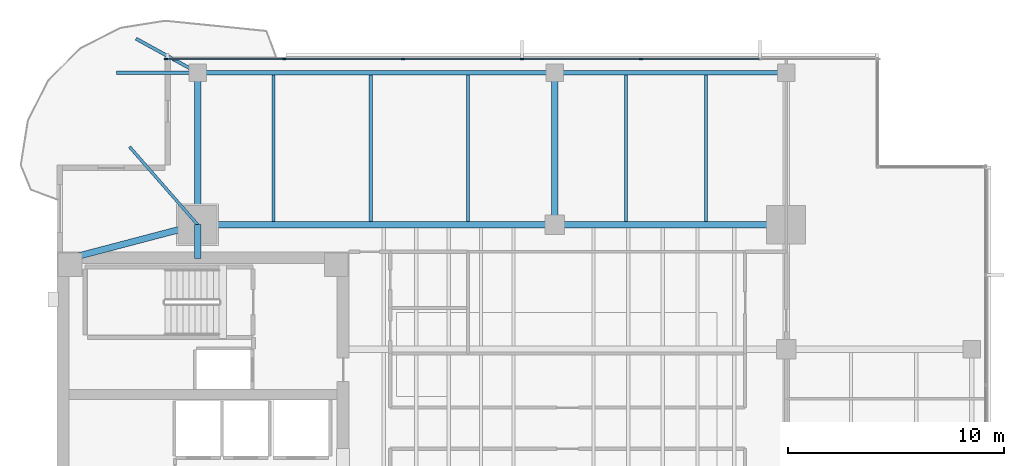
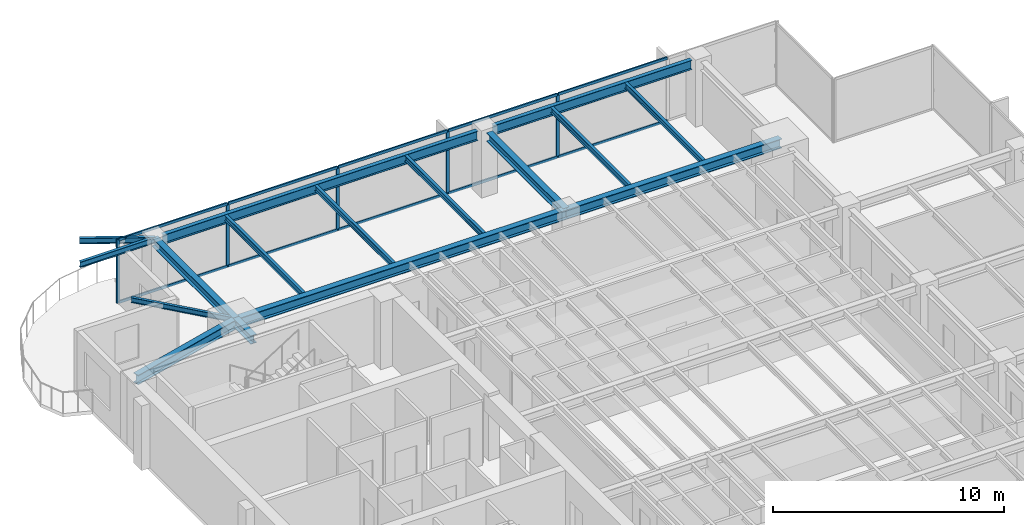
# One storey, part 5 of 14: 16 beams, 15 members, 1 element without a shape of its own.
"""IFC4 building model written with IfcOpenShell, lengths in metres."""

from ifc_helpers import new_model, si_unit, direction, frame, origin, origin_2d, place, context, subcontext, project, spatial, rectangle, i_section, extrude, material, layer, layer_set, material_profile, profile_set, type_object, element, aggregate, save


model = new_model("IFC4")

# Units and contexts
model_context = context("Model", 3, precision=1e-05, world=origin(), true_north=direction((0.0, 1.0)))
body_context = subcontext(model_context, "Body", "Model", "MODEL_VIEW")
ifc_project = project(units=[si_unit("LENGTHUNIT", "METRE"), si_unit("AREAUNIT", "SQUARE_METRE"), si_unit("VOLUMEUNIT", "CUBIC_METRE"), si_unit("PLANEANGLEUNIT", "RADIAN"), si_unit("MASSUNIT", "GRAM", prefix="KILO")], contexts=[model_context])

# Site, building, storey
site_placement = place(None, origin())
site = spatial("IfcSite", under=ifc_project, at=site_placement, CompositionType="ELEMENT")
building_placement = place(site_placement, origin())
building = spatial("IfcBuilding", under=site, at=building_placement, Name="Kinhvarn Gate Tower", CompositionType="ELEMENT")
storey_placement = place(building_placement, frame((0.0, 0.0, 209.35009765625)))
storey = spatial("IfcBuildingStorey", under=building, at=storey_placement, Name="L55", CompositionType="ELEMENT", Elevation=209.35009765625)

# Curtain wall, members
ifc_material_1 = material(Name="Anodised aluminium AW-6063", Category="aluminium")
ifc_layer = layer(ifc_material_1, 0.179931640625)
ifc_layer_set = layer_set([ifc_layer], Name="Anodised aluminium AW-6063")
curtain_wall_type = type_object("IfcCurtainWallType", Name="CW-SYS-3", PredefinedType="NOTDEFINED", material=ifc_layer_set)
curtain_wall_placement = place(storey_placement, origin())
curtain_wall = element("IfcCurtainWall", 1, at=curtain_wall_placement, inside=storey, type_object=curtain_wall_type, Name="Curtain Wall CW3 (L55)", PredefinedType="NOTDEFINED")
ifc_material_profile_1 = material_profile(ifc_material_1, rectangle(XDim=0.06494140625, YDim=0.159912109375, at=origin_2d()), Name="ALU 65x160")
ifc_profile_set_1 = profile_set([ifc_material_profile_1], Name="Anodised aluminium AW-6063")
member_type_1 = type_object("IfcMemberType", Name="CW-MUL-160", PredefinedType="MULLION", material=ifc_profile_set_1)
member_1_placement = place(storey_placement, frame((31.5, 45.409912109375, 0.0), z_axis=(0.0, 0.0, 1.0), x_axis=(0.0, -1.0, 0.0)))
member_1 = element("IfcMember", 2, at=member_1_placement, type_object=member_type_1, Name="CW3 mullion 3", PredefinedType="MULLION", context=body_context, shape_type="SweptSolid", body=[
    extrude(rectangle(XDim=0.06494140625, YDim=0.159912109375, at=origin_2d()), origin(), (0.0, 0.0, 1.0), 3.369873046875),
])
member_2_placement = place(storey_placement, frame((26.0, 45.409912109375, 0.0), z_axis=(0.0, 0.0, 1.0), x_axis=(0.0, -1.0, 0.0)))
member_2 = element("IfcMember", 3, at=member_2_placement, type_object=member_type_1, Name="CW3 mullion 4", PredefinedType="MULLION", context=body_context, shape_type="SweptSolid", body=[
    extrude(rectangle(XDim=0.06494140625, YDim=0.159912109375, at=origin_2d()), origin(), (0.0, 0.0, 1.0), 3.369873046875),
])
member_3_placement = place(storey_placement, frame((20.5, 45.409912109375, 0.0), z_axis=(0.0, 0.0, 1.0), x_axis=(0.0, -1.0, 0.0)))
member_3 = element("IfcMember", 4, at=member_3_placement, type_object=member_type_1, Name="CW3 mullion 5", PredefinedType="MULLION", context=body_context, shape_type="SweptSolid", body=[
    extrude(rectangle(XDim=0.06494140625, YDim=0.159912109375, at=origin_2d()), origin(), (0.0, 0.0, 1.0), 3.369873046875),
])
member_4_placement = place(storey_placement, frame((15.0, 45.409912109375, 0.0), z_axis=(0.0, 0.0, 1.0), x_axis=(0.0, -1.0, 0.0)))
member_4 = element("IfcMember", 5, at=member_4_placement, type_object=member_type_1, Name="CW3 mullion 6", PredefinedType="MULLION", context=body_context, shape_type="SweptSolid", body=[
    extrude(rectangle(XDim=0.06494140625, YDim=0.159912109375, at=origin_2d()), origin(), (0.0, 0.0, 1.0), 3.369873046875),
])
member_5_placement = place(storey_placement, frame((9.532470703125, 45.409912109375, 0.0), z_axis=(0.0, 0.0, 1.0), x_axis=(0.0, -1.0, 0.0)))
member_5 = element("IfcMember", 6, at=member_5_placement, type_object=member_type_1, Name="CW3 mullion 7", PredefinedType="MULLION", context=body_context, shape_type="SweptSolid", body=[
    extrude(rectangle(XDim=0.06494140625, YDim=0.159912109375, at=origin_2d()), origin(), (0.0, 0.0, 1.0), 3.369873046875),
])
ifc_material_profile_2 = material_profile(ifc_material_1, rectangle(XDim=0.070068359375, YDim=0.139892578125, at=origin_2d()), Name="ALU 70x140")
ifc_profile_set_2 = profile_set([ifc_material_profile_2], Name="Anodised aluminium AW-6063")
member_type_2 = type_object("IfcMemberType", Name="CW-TRN-140", PredefinedType="USERDEFINED", material=ifc_profile_set_2)
member_6_placement = place(storey_placement, frame((36.967529296875, 45.409912109375, 0.034912109375), z_axis=(-1.0, 0.0, 0.0), x_axis=(0.0, -1.0, 0.0)))
member_6 = element("IfcMember", 7, at=member_6_placement, type_object=member_type_2, Name="CW3 transom 2.1", ObjectType="TRANSOM", PredefinedType="USERDEFINED", context=body_context, shape_type="SweptSolid", body=[
    extrude(rectangle(XDim=0.070068359375, YDim=0.139892578125, at=origin_2d()), origin(), (0.0, 0.0, 1.0), 5.43505859375),
])
member_7_placement = place(storey_placement, frame((36.967529296875, 45.409912109375, 3.3349609375), z_axis=(-1.0, 0.0, 0.0), x_axis=(0.0, -1.0, 0.0)))
member_7 = element("IfcMember", 8, at=member_7_placement, type_object=member_type_2, Name="CW3 transom 2.2", ObjectType="TRANSOM", PredefinedType="USERDEFINED", context=body_context, shape_type="SweptSolid", body=[
    extrude(rectangle(XDim=0.070068359375, YDim=0.139892578125, at=origin_2d()), origin(), (0.0, 0.0, 1.0), 5.43505859375),
])
member_8_placement = place(storey_placement, frame((31.467529296875, 45.409912109375, 0.034912109375), z_axis=(-1.0, 0.0, 0.0), x_axis=(0.0, -1.0, 0.0)))
member_8 = element("IfcMember", 9, at=member_8_placement, type_object=member_type_2, Name="CW3 transom 3.1", ObjectType="TRANSOM", PredefinedType="USERDEFINED", context=body_context, shape_type="SweptSolid", body=[
    extrude(rectangle(XDim=0.070068359375, YDim=0.139892578125, at=origin_2d()), origin(), (0.0, 0.0, 1.0), 5.43505859375),
])
member_9_placement = place(storey_placement, frame((31.467529296875, 45.409912109375, 3.3349609375), z_axis=(-1.0, 0.0, 0.0), x_axis=(0.0, -1.0, 0.0)))
member_9 = element("IfcMember", 10, at=member_9_placement, type_object=member_type_2, Name="CW3 transom 3.2", ObjectType="TRANSOM", PredefinedType="USERDEFINED", context=body_context, shape_type="SweptSolid", body=[
    extrude(rectangle(XDim=0.070068359375, YDim=0.139892578125, at=origin_2d()), origin(), (0.0, 0.0, 1.0), 5.43505859375),
])
member_10_placement = place(storey_placement, frame((25.967529296875, 45.409912109375, 0.034912109375), z_axis=(-1.0, 0.0, 0.0), x_axis=(0.0, -1.0, 0.0)))
member_10 = element("IfcMember", 11, at=member_10_placement, type_object=member_type_2, Name="CW3 transom 4.1", ObjectType="TRANSOM", PredefinedType="USERDEFINED", context=body_context, shape_type="SweptSolid", body=[
    extrude(rectangle(XDim=0.070068359375, YDim=0.139892578125, at=origin_2d()), origin(), (0.0, 0.0, 1.0), 5.43505859375),
])
member_11_placement = place(storey_placement, frame((25.967529296875, 45.409912109375, 3.3349609375), z_axis=(-1.0, 0.0, 0.0), x_axis=(0.0, -1.0, 0.0)))
member_11 = element("IfcMember", 12, at=member_11_placement, type_object=member_type_2, Name="CW3 transom 4.2", ObjectType="TRANSOM", PredefinedType="USERDEFINED", context=body_context, shape_type="SweptSolid", body=[
    extrude(rectangle(XDim=0.070068359375, YDim=0.139892578125, at=origin_2d()), origin(), (0.0, 0.0, 1.0), 5.43505859375),
])
member_12_placement = place(storey_placement, frame((20.467529296875, 45.409912109375, 0.034912109375), z_axis=(-1.0, 0.0, 0.0), x_axis=(0.0, -1.0, 0.0)))
member_12 = element("IfcMember", 13, at=member_12_placement, type_object=member_type_2, Name="CW3 transom 5.1", ObjectType="TRANSOM", PredefinedType="USERDEFINED", context=body_context, shape_type="SweptSolid", body=[
    extrude(rectangle(XDim=0.070068359375, YDim=0.139892578125, at=origin_2d()), origin(), (0.0, 0.0, 1.0), 5.43505859375),
])
member_13_placement = place(storey_placement, frame((20.467529296875, 45.409912109375, 3.3349609375), z_axis=(-1.0, 0.0, 0.0), x_axis=(0.0, -1.0, 0.0)))
member_13 = element("IfcMember", 14, at=member_13_placement, type_object=member_type_2, Name="CW3 transom 5.2", ObjectType="TRANSOM", PredefinedType="USERDEFINED", context=body_context, shape_type="SweptSolid", body=[
    extrude(rectangle(XDim=0.070068359375, YDim=0.139892578125, at=origin_2d()), origin(), (0.0, 0.0, 1.0), 5.43505859375),
])
member_14_placement = place(storey_placement, frame((14.967529296875, 45.409912109375, 0.034912109375), z_axis=(-1.0, 0.0, 0.0), x_axis=(0.0, -1.0, 0.0)))
member_14 = element("IfcMember", 15, at=member_14_placement, type_object=member_type_2, Name="CW3 transom 6.1", ObjectType="TRANSOM", PredefinedType="USERDEFINED", context=body_context, shape_type="SweptSolid", body=[
    extrude(rectangle(XDim=0.070068359375, YDim=0.139892578125, at=origin_2d()), origin(), (0.0, 0.0, 1.0), 5.402587890625),
])
member_15_placement = place(storey_placement, frame((14.967529296875, 45.409912109375, 3.3349609375), z_axis=(-1.0, 0.0, 0.0), x_axis=(0.0, -1.0, 0.0)))
member_15 = element("IfcMember", 16, at=member_15_placement, type_object=member_type_2, Name="CW3 transom 6.2", ObjectType="TRANSOM", PredefinedType="USERDEFINED", context=body_context, shape_type="SweptSolid", body=[
    extrude(rectangle(XDim=0.070068359375, YDim=0.139892578125, at=origin_2d()), origin(), (0.0, 0.0, 1.0), 5.402587890625),
])
aggregate(curtain_wall, [member_1, member_2, member_3, member_4, member_5, member_6, member_7, member_8, member_9, member_10, member_11, member_12, member_13, member_14, member_15])

# Beams
ifc_material_2 = material(Name="Steel S355", Category="steel")
ifc_material_profile_3 = material_profile(ifc_material_2, i_section(OverallWidth=0.300048828125, OverallDepth=0.449951171875, WebThickness=0.013916015625, FlangeThickness=0.02587890625, at=origin_2d()), Name="HEB 450")
ifc_profile_set_3 = profile_set([ifc_material_profile_3], Name="Steel S355")
beam_type_1 = type_object("IfcBeamType", Name="STL-HEB450", PredefinedType="BEAM", material=ifc_profile_set_3)
beam_1_placement = place(storey_placement, frame((11.0, 36.199951171875, 3.14501953125), z_axis=(0.0, 1.0, 0.0), x_axis=(-1.0, 0.0, 0.0)))
element("IfcBeam", 17, at=beam_1_placement, inside=storey, type_object=beam_type_1, Name="Floor Beam PG-13 (L55 MCW-CN)", PredefinedType="BEAM", context=body_context, shape_type="SweptSolid", body=[
    extrude(i_section(OverallWidth=0.300048828125, OverallDepth=0.449951171875, WebThickness=0.013916015625, FlangeThickness=0.02587890625, at=origin_2d()), origin(), (0.0, 0.0, 1.0), 1.550048828125),
])
beam_2_placement = place(storey_placement, frame((11.0, 37.75, 3.14501953125), z_axis=(0.0, 1.0, 0.0), x_axis=(-1.0, 0.0, 0.0)))
element("IfcBeam", 18, at=beam_2_placement, inside=storey, type_object=beam_type_1, Name="Floor Beam PG-13 (L55 MCW-N)", PredefinedType="BEAM", context=body_context, shape_type="SweptSolid", body=[
    extrude(i_section(OverallWidth=0.300048828125, OverallDepth=0.449951171875, WebThickness=0.013916015625, FlangeThickness=0.02587890625, at=origin_2d()), origin(), (0.0, 0.0, 1.0), 7.030029296875),
])
beam_3_placement = place(storey_placement, frame((27.5, 37.75, 3.14501953125), z_axis=(0.0, 1.0, 0.0), x_axis=(-1.0, 0.0, 0.0)))
element("IfcBeam", 19, at=beam_3_placement, inside=storey, type_object=beam_type_1, Name="Floor Beam PG-13 (L55 SP27-N-TIE)", PredefinedType="BEAM", context=body_context, shape_type="SweptSolid", body=[
    extrude(i_section(OverallWidth=0.300048828125, OverallDepth=0.449951171875, WebThickness=0.013916015625, FlangeThickness=0.02587890625, at=origin_2d()), origin(), (0.0, 0.0, 1.0), 6.64501953125),
])
ifc_material_profile_4 = material_profile(ifc_material_2, i_section(OverallWidth=0.300048828125, OverallDepth=0.5, WebThickness=0.014404296875, FlangeThickness=0.028076171875, at=origin_2d()), Name="HEB 500")
ifc_profile_set_4 = profile_set([ifc_material_profile_4], Name="Steel S355")
beam_type_2 = type_object("IfcBeamType", Name="STL-HEB500", PredefinedType="BEAM", material=ifc_profile_set_4)
beam_4_placement = place(storey_placement, frame((11.0, 37.75, 3.119873046875), z_axis=(1.0, 0.0, 0.0), x_axis=(0.0, 1.0, 0.0)))
element("IfcBeam", 20, at=beam_4_placement, inside=storey, type_object=beam_type_2, Name="Floor Beam PG-14 (L55 MG-N1)", PredefinedType="BEAM", context=body_context, shape_type="SweptSolid", body=[
    extrude(i_section(OverallWidth=0.300048828125, OverallDepth=0.5, WebThickness=0.014404296875, FlangeThickness=0.028076171875, at=origin_2d()), origin(), (0.0, 0.0, 1.0), 16.5),
])
beam_5_placement = place(storey_placement, frame((27.5, 37.75, 3.119873046875), z_axis=(1.0, 0.0, 0.0), x_axis=(0.0, 1.0, 0.0)))
element("IfcBeam", 21, at=beam_5_placement, inside=storey, type_object=beam_type_2, Name="Floor Beam PG-14 (L55 MG-N2)", PredefinedType="BEAM", context=body_context, shape_type="SweptSolid", body=[
    extrude(i_section(OverallWidth=0.300048828125, OverallDepth=0.5, WebThickness=0.014404296875, FlangeThickness=0.028076171875, at=origin_2d()), origin(), (0.0, 0.0, 1.0), 10.699951171875),
])
beam_6_placement = place(storey_placement, frame((5.10009765625, 36.199951171875, 3.119873046875), z_axis=(0.967177623957, 0.254101246979, 0.0), x_axis=(-0.254101246979, 0.967177623957, 0.0)))
element("IfcBeam", 22, at=beam_6_placement, inside=storey, type_object=beam_type_2, Name="Floor Beam PG-14 (L55 MG-NW-DIAG)", PredefinedType="BEAM", context=body_context, shape_type="SweptSolid", body=[
    extrude(i_section(OverallWidth=0.300048828125, OverallDepth=0.5, WebThickness=0.014404296875, FlangeThickness=0.028076171875, at=origin_2d()), origin(), (0.0, 0.0, 1.0), 6.10009765625),
])
ifc_material_profile_5 = material_profile(ifc_material_2, i_section(OverallWidth=0.135009765625, OverallDepth=0.27001953125, WebThickness=0.006591796875, FlangeThickness=0.01025390625, at=origin_2d()), Name="IPE 270")
ifc_profile_set_5 = profile_set([ifc_material_profile_5], Name="Steel S355")
beam_type_3 = type_object("IfcBeamType", Name="STL-IPE270", PredefinedType="JOIST", material=ifc_profile_set_5)
beam_7_placement = place(storey_placement, frame((11.0, 37.75, 3.23486328125), z_axis=(-0.658482928045, 0.752595664001, 0.0), x_axis=(-0.752595664001, -0.658482928045, 0.0)))
element("IfcBeam", 23, at=beam_7_placement, inside=storey, type_object=beam_type_3, Name="Floor Joist SB-01 (L55 BAL-B3-L56)", PredefinedType="JOIST", context=body_context, shape_type="SweptSolid", body=[
    extrude(i_section(OverallWidth=0.135009765625, OverallDepth=0.27001953125, WebThickness=0.006591796875, FlangeThickness=0.01025390625, at=origin_2d()), origin(), (0.0, 0.0, 1.0), 4.78369140625),
])
ifc_material_profile_6 = material_profile(ifc_material_2, i_section(OverallWidth=0.14990234375, OverallDepth=0.300048828125, WebThickness=0.007080078125, FlangeThickness=0.0107421875, at=origin_2d()), Name="IPE 300")
ifc_profile_set_6 = profile_set([ifc_material_profile_6], Name="Steel S355")
beam_type_4 = type_object("IfcBeamType", Name="STL-IPE300", PredefinedType="JOIST", material=ifc_profile_set_6)
for number, where, z_axis, x_axis, name in (
    (24, (14.5, 37.89990234375, 3.219970703125), (0.0, 1.0, 0.0), (-1.0, 0.0, 0.0), "Floor Joist SB-02 (L55 JN-X145)"),
    (25, (19.0, 37.89990234375, 3.219970703125), (0.0, 1.0, 0.0), (-1.0, 0.0, 0.0), "Floor Joist SB-02 (L55 JN-X190)"),
    (26, (23.5, 37.89990234375, 3.219970703125), (0.0, 1.0, 0.0), (-1.0, 0.0, 0.0), "Floor Joist SB-02 (L55 JN-X235)"),
    (27, (30.800048828125, 37.89990234375, 3.219970703125), (0.0, 1.0, 0.0), (-1.0, 0.0, 0.0), "Floor Joist SB-02 (L55 JN-X308)"),
    (28, (34.5, 37.89990234375, 3.219970703125), (0.0, 1.0, 0.0), (-1.0, 0.0, 0.0), "Floor Joist SB-02 (L55 JN-X345)"),
):
    element("IfcBeam", number, at=place(storey_placement, frame(where, z_axis=z_axis, x_axis=x_axis)), inside=storey, type_object=beam_type_4, Name=name, PredefinedType="JOIST", context=body_context, shape_type="SweptSolid", body=[
        extrude(i_section(OverallWidth=0.14990234375, OverallDepth=0.300048828125, WebThickness=0.007080078125, FlangeThickness=0.0107421875, at=origin_2d()), origin(), (0.0, 0.0, 1.0), 6.780029296875),
    ])
beam_8_placement = place(storey_placement, frame((11.0, 44.780029296875, 3.219970703125), z_axis=(-1.0, 0.0, 0.0), x_axis=(0.0, -1.0, 0.0)))
element("IfcBeam", 29, at=beam_8_placement, inside=storey, type_object=beam_type_4, Name="Floor Joist SB-02 (L55 BAL-B1-L56)", PredefinedType="JOIST", context=body_context, shape_type="SweptSolid", body=[
    extrude(i_section(OverallWidth=0.14990234375, OverallDepth=0.300048828125, WebThickness=0.007080078125, FlangeThickness=0.0107421875, at=origin_2d()), origin(), (0.0, 0.0, 1.0), 3.75),
])
beam_9_placement = place(storey_placement, frame((11.0, 44.780029296875, 3.219970703125), z_axis=(-0.875889381738, 0.482511959394, 0.0), x_axis=(-0.482511959394, -0.875889381738, 0.0)))
element("IfcBeam", 30, at=beam_9_placement, inside=storey, type_object=beam_type_4, Name="Floor Joist SB-02 (L55 BAL-B2-L56)", PredefinedType="JOIST", context=body_context, shape_type="SweptSolid", body=[
    extrude(i_section(OverallWidth=0.14990234375, OverallDepth=0.300048828125, WebThickness=0.007080078125, FlangeThickness=0.0107421875, at=origin_2d()), origin(), (0.0, 0.0, 1.0), 3.25390625),
])
ifc_material_profile_7 = material_profile(ifc_material_2, i_section(OverallWidth=0.199951171875, OverallDepth=0.5, WebThickness=0.01025390625, FlangeThickness=0.01611328125, at=origin_2d()), Name="IPE 500")
ifc_profile_set_7 = profile_set([ifc_material_profile_7], Name="Steel S355")
beam_type_5 = type_object("IfcBeamType", Name="STL-IPE500", PredefinedType="SPANDREL", material=ifc_profile_set_7)
beam_10_placement = place(storey_placement, frame((11.385009765625, 44.780029296875, 3.119873046875), z_axis=(1.0, 0.0, 0.0), x_axis=(0.0, 1.0, 0.0)))
element("IfcBeam", 31, at=beam_10_placement, inside=storey, type_object=beam_type_5, Name="Floor Spandrel SB-07 (L55 SP-N1)", PredefinedType="SPANDREL", context=body_context, shape_type="SweptSolid", body=[
    extrude(i_section(OverallWidth=0.199951171875, OverallDepth=0.5, WebThickness=0.01025390625, FlangeThickness=0.01611328125, at=origin_2d()), origin(), (0.0, 0.0, 1.0), 15.72998046875),
])
beam_11_placement = place(storey_placement, frame((27.885009765625, 44.780029296875, 3.119873046875), z_axis=(1.0, 0.0, 0.0), x_axis=(0.0, 1.0, 0.0)))
element("IfcBeam", 32, at=beam_11_placement, inside=storey, type_object=beam_type_5, Name="Floor Spandrel SB-07 (L55 SP-N2)", PredefinedType="SPANDREL", context=body_context, shape_type="SweptSolid", body=[
    extrude(i_section(OverallWidth=0.199951171875, OverallDepth=0.5, WebThickness=0.01025390625, FlangeThickness=0.01611328125, at=origin_2d()), origin(), (0.0, 0.0, 1.0), 9.929931640625),
])

save(model, "model.ifc")
